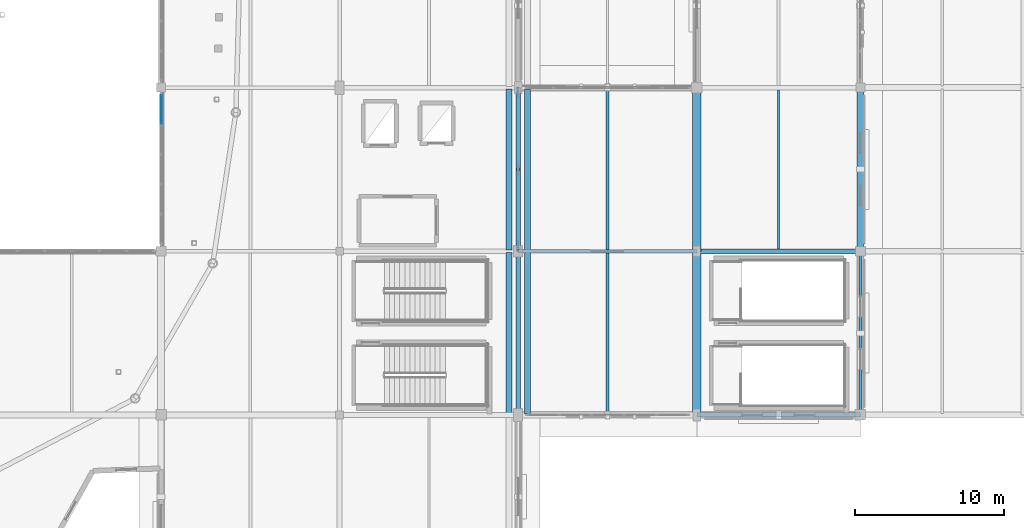
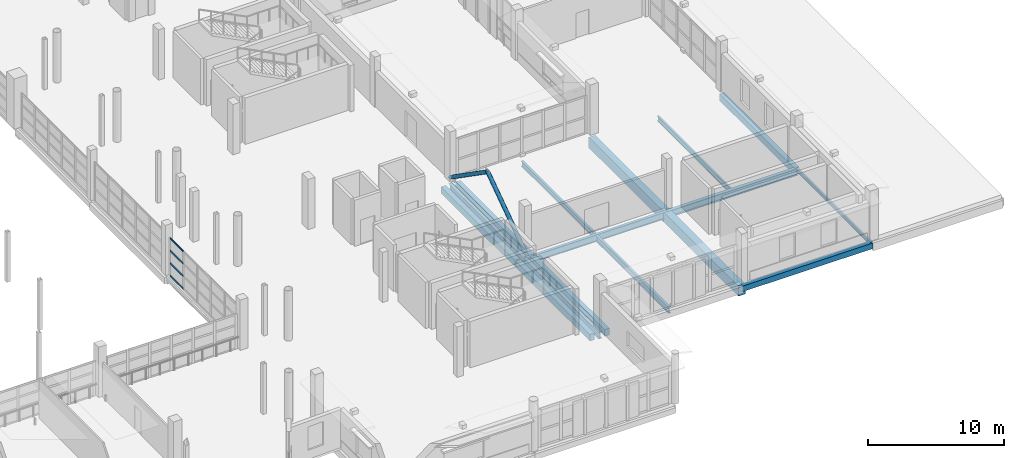
# One storey, part 53 of 118: 16 beams, 6 members, 1 element without a shape of its own.
"""IFC4 building model written with IfcOpenShell, lengths in metres."""

from ifc_helpers import new_model, si_unit, direction, frame, origin, origin_2d, place, context, subcontext, project, spatial, rectangle, hollow_rectangle, hollow_circle, i_section, extrude, material, material_profile, profile_set, type_object, element, aggregate, save


model = new_model("IFC4")

# Units and contexts
model_context = context("Model", 3, precision=1e-05, world=origin(), true_north=direction((0.0, 1.0)))
body_context = subcontext(model_context, "Body", "Model", "MODEL_VIEW")
ifc_project = project(units=[si_unit("LENGTHUNIT", "METRE"), si_unit("AREAUNIT", "SQUARE_METRE"), si_unit("VOLUMEUNIT", "CUBIC_METRE"), si_unit("PLANEANGLEUNIT", "RADIAN"), si_unit("MASSUNIT", "GRAM", prefix="KILO")], contexts=[model_context])

# Site, building, storey
site_placement = place(None, origin())
site = spatial("IfcSite", under=ifc_project, at=site_placement, CompositionType="ELEMENT")
building_placement = place(site_placement, origin())
building = spatial("IfcBuilding", under=site, at=building_placement, Name="Luwafu Chhajja Arena", CompositionType="ELEMENT")
storey_placement = place(building_placement, frame((0.0, 0.0, 10.199951171875)))
storey = spatial("IfcBuildingStorey", under=building, at=storey_placement, Name="L02", CompositionType="ELEMENT", Elevation=10.199951171875)

# Curtain wall, members
ifc_material_1 = material(Name="Anodised bronze aluminium", Category="aluminium")
curtain_wall_type = type_object("IfcCurtainWallType", Name="Hospitality Ring Curtain Wall", PredefinedType="USERDEFINED", material=ifc_material_1)
curtain_wall_placement = place(storey_placement, origin())
curtain_wall = element("IfcCurtainWall", 1, at=curtain_wall_placement, inside=storey, type_object=curtain_wall_type, Name="L02 Bowl Viewing Curtain Wall CWR-L02-20", ObjectType="CURTAIN WALL", PredefinedType="USERDEFINED")
ifc_material_profile_1 = material_profile(ifc_material_1, rectangle(XDim=0.06494140625, YDim=0.14990234375, at=origin_2d()), Name="CWT 65x150")
ifc_profile_set_1 = profile_set([ifc_material_profile_1], Name="Anodised bronze aluminium")
member_type_1 = type_object("IfcMemberType", Name="Bronze Curtain Wall Transom 65x150", PredefinedType="USERDEFINED", material=ifc_profile_set_1)
member_1_placement = place(storey_placement, frame((140.0, 30.573486328125, 0.032470703125), z_axis=(0.0, 1.0, 0.0), x_axis=(-1.0, 0.0, 0.0)))
member_1 = element("IfcMember", 2, at=member_1_placement, type_object=member_type_1, Name="CW-02 transom 5.1", ObjectType="TRANSOM", PredefinedType="USERDEFINED", context=body_context, shape_type="SweptSolid", body=[
    extrude(rectangle(XDim=0.06494140625, YDim=0.14990234375, at=origin_2d()), origin(), (0.0, 0.0, 1.0), 1.921630859375),
])
member_2_placement = place(storey_placement, frame((140.0, 30.573486328125, 1.150146484375), z_axis=(0.0, 1.0, 0.0), x_axis=(-1.0, 0.0, 0.0)))
member_2 = element("IfcMember", 3, at=member_2_placement, type_object=member_type_1, Name="CW-02 transom 5.2", ObjectType="TRANSOM", PredefinedType="USERDEFINED", context=body_context, shape_type="SweptSolid", body=[
    extrude(rectangle(XDim=0.06494140625, YDim=0.14990234375, at=origin_2d()), origin(), (0.0, 0.0, 1.0), 1.921630859375),
])
member_3_placement = place(storey_placement, frame((140.0, 30.573486328125, 2.27001953125), z_axis=(0.0, 1.0, 0.0), x_axis=(-1.0, 0.0, 0.0)))
member_3 = element("IfcMember", 4, at=member_3_placement, type_object=member_type_1, Name="CW-02 transom 5.3", ObjectType="TRANSOM", PredefinedType="USERDEFINED", context=body_context, shape_type="SweptSolid", body=[
    extrude(rectangle(XDim=0.06494140625, YDim=0.14990234375, at=origin_2d()), origin(), (0.0, 0.0, 1.0), 1.921630859375),
])
member_4_placement = place(storey_placement, frame((140.0, 30.573486328125, 3.357666015625), z_axis=(0.0, 1.0, 0.0), x_axis=(-1.0, 0.0, 0.0)))
member_4 = element("IfcMember", 5, at=member_4_placement, type_object=member_type_1, Name="CW-02 transom 5.4", ObjectType="TRANSOM", PredefinedType="USERDEFINED", context=body_context, shape_type="SweptSolid", body=[
    extrude(rectangle(XDim=0.06494140625, YDim=0.14990234375, at=origin_2d()), origin(), (0.0, 0.0, 1.0), 1.921630859375),
])
aggregate(curtain_wall, [member_1, member_2, member_3, member_4])

# Beams
ifc_material_2 = material(Name="Steel S355", Category="steel")
ifc_material_profile_2 = material_profile(ifc_material_2, i_section(OverallWidth=0.165771484375, OverallDepth=0.306640625, WebThickness=0.006591796875, FlangeThickness=0.01171875, at=origin_2d()), Name="UB 305x165x46")
ifc_profile_set_2 = profile_set([ifc_material_profile_2], Name="Steel S355")
beam_type_1 = type_object("IfcBeamType", Name="Concourse Edge Spandrel Beam UB 305x165x46", PredefinedType="SPANDREL", material=ifc_profile_set_2)
beam_1_placement = place(storey_placement, frame((187.0, 11.0, -0.543212890625), z_axis=(0.0, 1.0, 0.0), x_axis=(-1.0, 0.0, 0.0)))
element("IfcBeam", 6, at=beam_1_placement, inside=storey, type_object=beam_type_1, Name="L02 Grid Beam 17/B-C", PredefinedType="SPANDREL", context=body_context, shape_type="SweptSolid", body=[
    extrude(i_section(OverallWidth=0.165771484375, OverallDepth=0.306640625, WebThickness=0.006591796875, FlangeThickness=0.01171875, at=origin_2d()), origin(), (0.0, 0.0, 1.0), 11.0),
])
ifc_material_3 = material(Name="Concrete C35/45", Category="concrete")
ifc_material_profile_3 = material_profile(ifc_material_3, rectangle(XDim=0.60009765625, YDim=0.89990234375, at=origin_2d()), Name="RC 600x900")
ifc_profile_set_3 = profile_set([ifc_material_profile_3], Name="Concrete C35/45")
beam_type_2 = type_object("IfcBeamType", Name="Concourse Primary Girder RC 600x900", PredefinedType="BEAM", material=ifc_profile_set_3)
beam_2_placement = place(storey_placement, frame((176.0, 11.0, -0.83984375), z_axis=(0.0, 1.0, 0.0), x_axis=(-1.0, 0.0, 0.0)))
element("IfcBeam", 7, at=beam_2_placement, inside=storey, type_object=beam_type_2, Name="L02 Grid Beam 16/B-C", PredefinedType="BEAM", context=body_context, shape_type="SweptSolid", body=[
    extrude(rectangle(XDim=0.60009765625, YDim=0.89990234375, at=origin_2d()), origin(), (0.0, 0.0, 1.0), 11.0),
])
ifc_material_profile_4 = material_profile(ifc_material_3, rectangle(XDim=0.550048828125, YDim=0.949951171875, at=origin_2d()), Name="RC 550x950")
ifc_profile_set_4 = profile_set([ifc_material_profile_4], Name="Concrete C35/45")
beam_type_3 = type_object("IfcBeamType", Name="Concourse Radial Girder RC 550x950", PredefinedType="BEAM", material=ifc_profile_set_4)
beam_3_placement = place(storey_placement, frame((176.0, 22.0, -0.864990234375), z_axis=(0.0, 1.0, 0.0), x_axis=(-1.0, 0.0, 0.0)))
element("IfcBeam", 8, at=beam_3_placement, inside=storey, type_object=beam_type_3, Name="L02 Grid Beam 16/C-D", PredefinedType="BEAM", context=body_context, shape_type="SweptSolid", body=[
    extrude(rectangle(XDim=0.550048828125, YDim=0.949951171875, at=origin_2d()), origin(), (0.0, 0.0, 1.0), 11.0),
])

# Members
ifc_material_profile_5 = material_profile(ifc_material_2, hollow_circle(Radius=0.161865234375, WallThickness=0.012451171875, at=origin_2d()), Name="CHS 323.9x12.5")
ifc_profile_set_5 = profile_set([ifc_material_profile_5], Name="Steel S355")
member_type_2 = type_object("IfcMemberType", Name="Drum Lateral Chevron Brace CHS 324", PredefinedType="BRACE", material=ifc_profile_set_5)
for number, where, z_axis, x_axis, name in (
    (9, (164.0, 22.0, 0.1201171875), (0.0, 0.820164696572, 0.572127494967), (-1.0, 0.0, 0.0), "L02 Lateral Chevron Brace 09A"),
    (10, (164.0, 33.0, 0.1201171875), (0.0, -0.820164696572, 0.572127494967), (1.0, 0.0, 0.0), "L02 Lateral Chevron Brace 09B"),
):
    element("IfcMember", number, at=place(storey_placement, frame(where, z_axis=z_axis, x_axis=x_axis)), inside=storey, type_object=member_type_2, Name=name, PredefinedType="BRACE", context=body_context, shape_type="SweptSolid", body=[
        extrude(hollow_circle(Radius=0.161865234375, WallThickness=0.012451171875, at=origin_2d()), origin(), (0.0, 0.0, 1.0), 6.7060546875),
    ])

# Beams
ifc_material_profile_6 = material_profile(ifc_material_2, i_section(OverallWidth=0.15283203125, OverallDepth=0.45458984375, WebThickness=0.008056640625, FlangeThickness=0.01318359375, at=origin_2d()), Name="UB 457x152x60")
ifc_profile_set_6 = profile_set([ifc_material_profile_6], Name="Steel S355")
beam_type_4 = type_object("IfcBeamType", Name="Floor Joist UB 457x152x60", PredefinedType="JOIST", material=ifc_profile_set_6)
beam_4_placement = place(storey_placement, frame((181.5, 22.14990234375, -0.6171875), z_axis=(0.0, 1.0, 0.0), x_axis=(-1.0, 0.0, 0.0)))
element("IfcBeam", 11, at=beam_4_placement, inside=storey, type_object=beam_type_4, Name="L02 Secondary Joist 16-17/C", PredefinedType="JOIST", context=body_context, shape_type="SweptSolid", body=[
    extrude(i_section(OverallWidth=0.15283203125, OverallDepth=0.45458984375, WebThickness=0.008056640625, FlangeThickness=0.01318359375, at=origin_2d()), origin(), (0.0, 0.0, 1.0), 10.7001953125),
])
ifc_material_profile_7 = material_profile(ifc_material_2, i_section(OverallWidth=0.19140625, OverallDepth=0.4599609375, WebThickness=0.010009765625, FlangeThickness=0.01611328125, at=origin_2d()), Name="UB 457x191x82")
ifc_profile_set_7 = profile_set([ifc_material_profile_7], Name="Steel S355")
beam_type_5 = type_object("IfcBeamType", Name="Floor Joist UB 457x191x82", PredefinedType="JOIST", material=ifc_profile_set_7)
beam_5_placement = place(storey_placement, frame((170.0, 22.114501953125, -0.619873046875), z_axis=(0.0, 1.0, 0.0), x_axis=(-1.0, 0.0, 0.0)))
element("IfcBeam", 12, at=beam_5_placement, inside=storey, type_object=beam_type_5, Name="L02 Secondary Joist 15-16/C", PredefinedType="JOIST", context=body_context, shape_type="SweptSolid", body=[
    extrude(i_section(OverallWidth=0.19140625, OverallDepth=0.4599609375, WebThickness=0.010009765625, FlangeThickness=0.01611328125, at=origin_2d()), origin(), (0.0, 0.0, 1.0), 10.735595703125),
])
ifc_material_profile_8 = material_profile(ifc_material_2, i_section(OverallWidth=0.209228515625, OverallDepth=0.533203125, WebThickness=0.010009765625, FlangeThickness=0.015625, at=origin_2d()), Name="UB 533x210x92")
ifc_profile_set_8 = profile_set([ifc_material_profile_8], Name="Steel S355")
beam_type_6 = type_object("IfcBeamType", Name="Floor Joist UB 533x210x92", PredefinedType="JOIST", material=ifc_profile_set_8)
beam_6_placement = place(storey_placement, frame((170.0, 11.199951171875, -0.656494140625), z_axis=(0.0, 1.0, 0.0), x_axis=(-1.0, 0.0, 0.0)))
element("IfcBeam", 13, at=beam_6_placement, inside=storey, type_object=beam_type_6, Name="L02 Secondary Joist 15-16/B", PredefinedType="JOIST", context=body_context, shape_type="SweptSolid", body=[
    extrude(i_section(OverallWidth=0.209228515625, OverallDepth=0.533203125, WebThickness=0.010009765625, FlangeThickness=0.015625, at=origin_2d()), origin(), (0.0, 0.0, 1.0), 10.685546875),
])
ifc_material_profile_9 = material_profile(ifc_material_2, hollow_rectangle(XDim=0.300048828125, YDim=0.5, WallThickness=0.02001953125, at=origin_2d()), Name="RHS 500x300x20")
ifc_profile_set_9 = profile_set([ifc_material_profile_9], Name="Steel S355")
beam_type_7 = type_object("IfcBeamType", Name="Pleated Drum Spandrel Beam RHS 500x300", PredefinedType="SPANDREL", material=ifc_profile_set_9)
beam_7_placement = place(storey_placement, frame((176.0, 11.0, -0.639892578125), z_axis=(1.0, 0.0, 0.0), x_axis=(0.0, 1.0, 0.0)))
element("IfcBeam", 14, at=beam_7_placement, inside=storey, type_object=beam_type_7, Name="L02 Grid Beam 16-17/B", PredefinedType="SPANDREL", context=body_context, shape_type="SweptSolid", body=[
    extrude(hollow_rectangle(XDim=0.300048828125, YDim=0.5, WallThickness=0.02001953125, at=origin_2d()), origin(), (0.0, 0.0, 1.0), 11.0),
])
ifc_material_profile_10 = material_profile(ifc_material_3, rectangle(XDim=0.39990234375, YDim=0.60009765625, at=origin_2d()), Name="RC 400x600")
ifc_profile_set_10 = profile_set([ifc_material_profile_10], Name="Concrete C35/45")
beam_type_8 = type_object("IfcBeamType", Name="Podium Perimeter Spandrel RC 400x600", PredefinedType="SPANDREL", material=ifc_profile_set_10)
beam_8_placement = place(storey_placement, frame((187.0, 22.0, -0.68994140625), z_axis=(0.0, 1.0, 0.0), x_axis=(-1.0, 0.0, 0.0)))
element("IfcBeam", 15, at=beam_8_placement, inside=storey, type_object=beam_type_8, Name="L02 Grid Beam 17/C-D", PredefinedType="SPANDREL", context=body_context, shape_type="SweptSolid", body=[
    extrude(rectangle(XDim=0.39990234375, YDim=0.60009765625, at=origin_2d()), origin(), (0.0, 0.0, 1.0), 11.0),
])
for number, where, z_axis, x_axis, name in (
    (16, (163.3798828125, 11.080078125, -0.68994140625), (0.0, 1.0, 0.0), (-1.0, 0.0, 0.0), "L02 Movement Joint MJ2W Seat Girder 01"),
    (17, (163.3798828125, 22.080078125, -0.68994140625), (0.0, 1.0, 0.0), (-1.0, 0.0, 0.0), "L02 Movement Joint MJ2W Seat Girder 02"),
    (18, (164.6201171875, 11.080078125, -0.68994140625), (0.0, 1.0, 0.0), (-1.0, 0.0, 0.0), "L02 Movement Joint MJ2E Seat Girder 01"),
    (19, (164.6201171875, 22.080078125, -0.68994140625), (0.0, 1.0, 0.0), (-1.0, 0.0, 0.0), "L02 Movement Joint MJ2E Seat Girder 02"),
):
    element("IfcBeam", number, at=place(storey_placement, frame(where, z_axis=z_axis, x_axis=x_axis)), inside=storey, type_object=beam_type_8, Name=name, PredefinedType="SPANDREL", context=body_context, shape_type="SweptSolid", body=[
        extrude(rectangle(XDim=0.39990234375, YDim=0.60009765625, at=origin_2d()), origin(), (0.0, 0.0, 1.0), 10.83984375),
    ])
ifc_material_profile_11 = material_profile(ifc_material_2, i_section(OverallWidth=0.300048828125, OverallDepth=0.5, WebThickness=0.014404296875, FlangeThickness=0.028076171875, at=origin_2d()), Name="HEB 500")
ifc_profile_set_11 = profile_set([ifc_material_profile_11], Name="Steel S355")
beam_type_9 = type_object("IfcBeamType", Name="Steel Atrium Tie Girder HEB 500", PredefinedType="BEAM", material=ifc_profile_set_11)
beam_9_placement = place(storey_placement, frame((164.0, 22.0, -0.639892578125), z_axis=(0.0, 1.0, 0.0), x_axis=(-1.0, 0.0, 0.0)))
element("IfcBeam", 20, at=beam_9_placement, inside=storey, type_object=beam_type_9, Name="L02 Grid Beam 15/C-D", PredefinedType="BEAM", context=body_context, shape_type="SweptSolid", body=[
    extrude(i_section(OverallWidth=0.300048828125, OverallDepth=0.5, WebThickness=0.014404296875, FlangeThickness=0.028076171875, at=origin_2d()), origin(), (0.0, 0.0, 1.0), 11.0),
])
ifc_material_profile_12 = material_profile(ifc_material_2, i_section(OverallWidth=0.300048828125, OverallDepth=0.60009765625, WebThickness=0.015380859375, FlangeThickness=0.030029296875, at=origin_2d()), Name="HEB 600")
ifc_profile_set_12 = profile_set([ifc_material_profile_12], Name="Steel S355")
beam_type_10 = type_object("IfcBeamType", Name="Steel Gallery Girder HEB 600", PredefinedType="BEAM", material=ifc_profile_set_12)
for number, where, z_axis, x_axis, name in (
    (21, (176.0, 22.0, -0.68994140625), (1.0, 0.0, 0.0), (0.0, 1.0, 0.0), "L02 Grid Beam 16-17/C"),
    (22, (164.0, 11.0, -0.68994140625), (0.0, 1.0, 0.0), (-1.0, 0.0, 0.0), "L02 Grid Beam 15/B-C"),
):
    element("IfcBeam", number, at=place(storey_placement, frame(where, z_axis=z_axis, x_axis=x_axis)), inside=storey, type_object=beam_type_10, Name=name, PredefinedType="BEAM", context=body_context, shape_type="SweptSolid", body=[
        extrude(i_section(OverallWidth=0.300048828125, OverallDepth=0.60009765625, WebThickness=0.015380859375, FlangeThickness=0.030029296875, at=origin_2d()), origin(), (0.0, 0.0, 1.0), 11.0),
    ])
ifc_material_profile_13 = material_profile(ifc_material_2, i_section(OverallWidth=0.22900390625, OverallDepth=0.6123046875, WebThickness=0.011962890625, FlangeThickness=0.01953125, at=origin_2d()), Name="UB 610x229x125")
ifc_profile_set_13 = profile_set([ifc_material_profile_13], Name="Steel S355")
beam_type_11 = type_object("IfcBeamType", Name="Steel Mezzanine Girder UB 610x229x125", PredefinedType="BEAM", material=ifc_profile_set_13)
beam_10_placement = place(storey_placement, frame((164.0, 22.0, -0.696044921875), z_axis=(1.0, 0.0, 0.0), x_axis=(0.0, 1.0, 0.0)))
element("IfcBeam", 23, at=beam_10_placement, inside=storey, type_object=beam_type_11, Name="L02 Grid Beam 15-16/C", PredefinedType="BEAM", context=body_context, shape_type="SweptSolid", body=[
    extrude(i_section(OverallWidth=0.22900390625, OverallDepth=0.6123046875, WebThickness=0.011962890625, FlangeThickness=0.01953125, at=origin_2d()), origin(), (0.0, 0.0, 1.0), 12.0),
])

save(model, "model.ifc")
